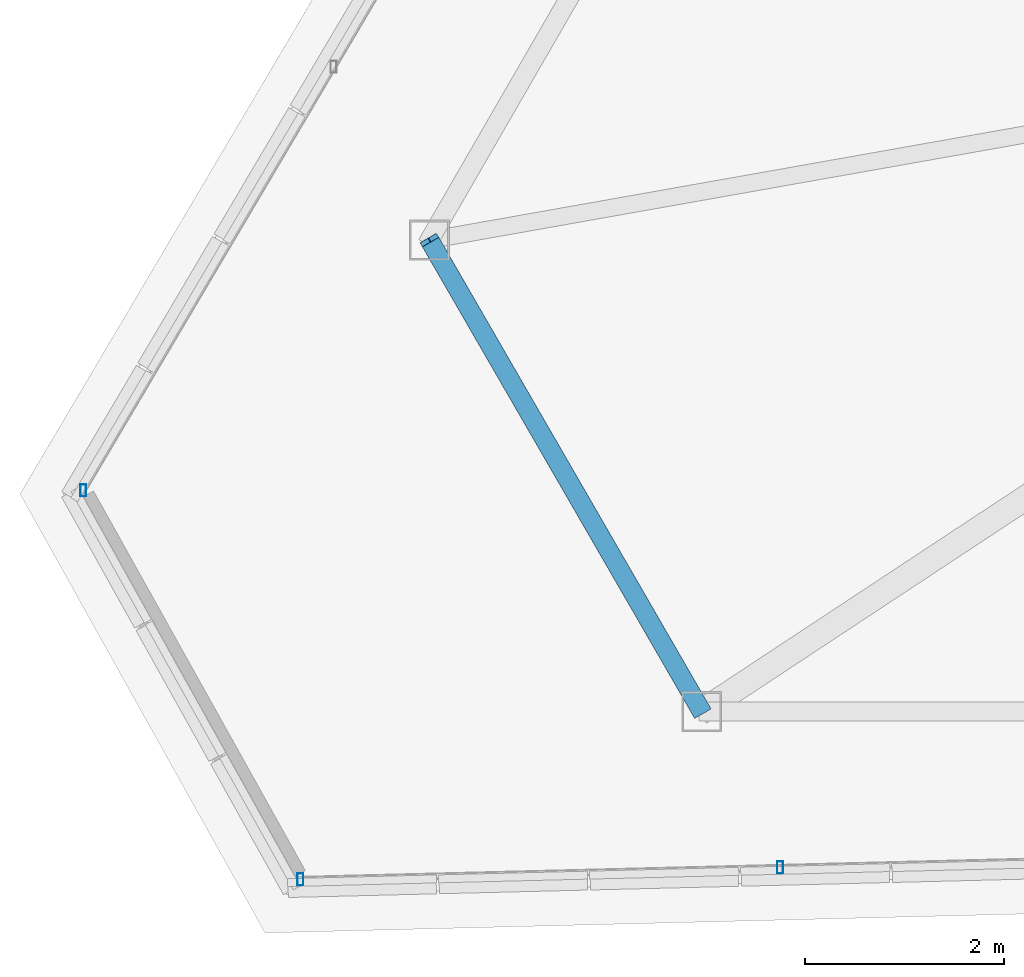
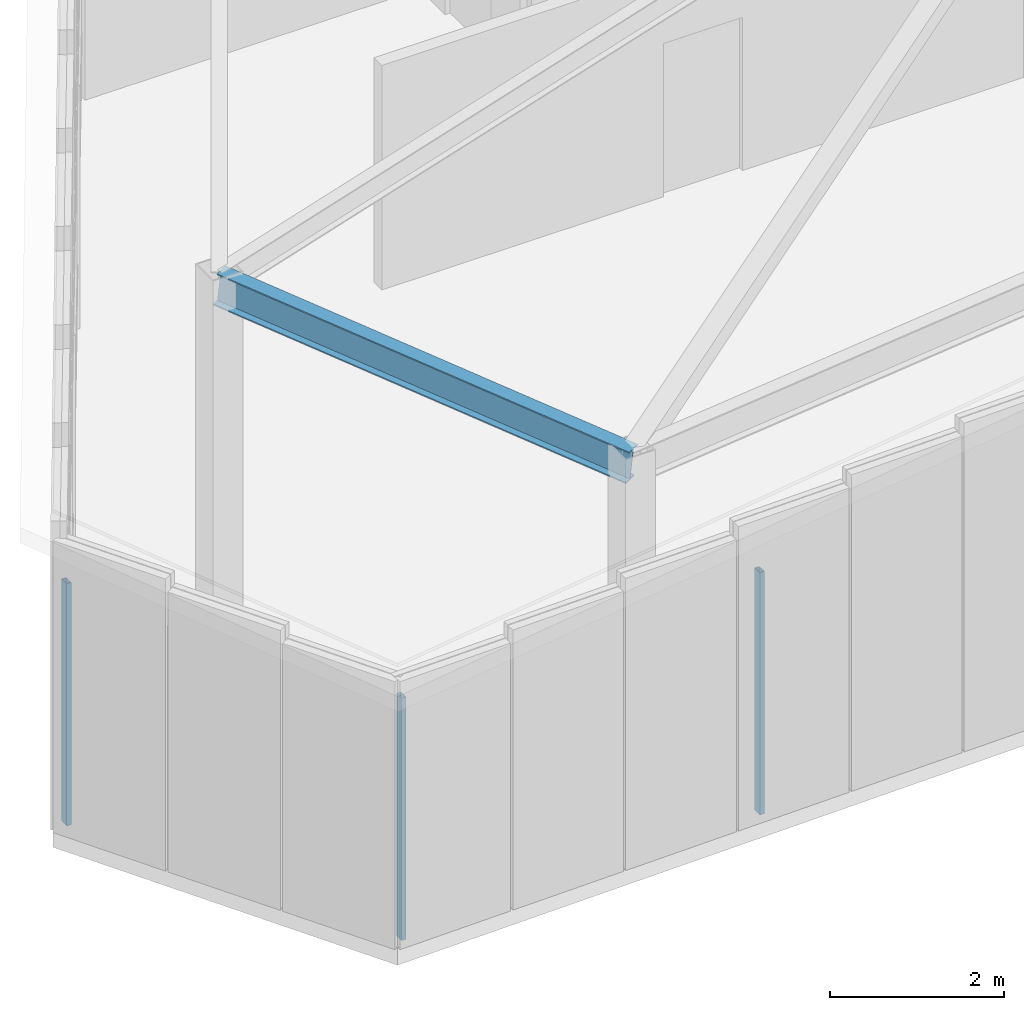
# One storey, part 3 of 50: 3 members, 1 beam, 2 elements without a shape of their own.
"""IFC4 building model written with IfcOpenShell, lengths in metres."""

import ifcopenshell
import ifcopenshell.guid

model = None  # the IFC model being written
_history = None  # IfcOwnerHistory: only IFC2X3 demands one
_inside = {}  # id of a spatial element -> (the spatial element, [elements in it])
_under = {}  # id of a project, library or spatial element -> (it, [spatial elements below it])
_declared = {}  # id of a project -> (the project, [libraries it declares])
_typed = {}  # id of a type object -> (the type object, [elements of that type])
_made_of = {}  # id of a material, layer set ... -> (it, [elements and type objects made of it])


def new_model(schema):
    """Start an empty IFC model of exactly this schema.

    Asked for "IFC4X3", IfcOpenShell would pick the latest addendum, in which some entities
    have other attributes; the version numbers below select the first issue.
    IFC2X3 requires an IfcOwnerHistory on every rooted entity: one is made here for all.
    """
    global model, _history
    if schema == "IFC4X3":
        model = ifcopenshell.file(schema_version=(4, 3, 0, 0))
    else:
        model = ifcopenshell.file(schema=schema)
    _inside.clear()
    _under.clear()
    _declared.clear()
    _typed.clear()
    _made_of.clear()
    _history = None
    if model.schema == "IFC2X3":
        org = make("IfcOrganization", Name="unknown")
        user = make(
            "IfcPersonAndOrganization",
            ThePerson=make("IfcPerson", FamilyName="unknown"),
            TheOrganization=org,
        )
        app = make(
            "IfcApplication",
            ApplicationDeveloper=org,
            Version="unknown",
            ApplicationFullName="unknown",
            ApplicationIdentifier="unknown",
        )
        _history = make(
            "IfcOwnerHistory",
            OwningUser=user,
            OwningApplication=app,
            ChangeAction="ADDED",
            CreationDate=0,
        )
    return model


def make(cls, **values):
    """One entity of the class cls with the attributes given. An attribute that is None is left unset."""
    return model.create_entity(
        cls, **{name: value for name, value in values.items() if value is not None}
    )


def rooted(cls, **values):
    """An entity with a GlobalId (a new one), such as an element, a storey or a relation."""
    return make(cls, GlobalId=ifcopenshell.guid.new(), OwnerHistory=_history, **values)


def si_unit(unit_type, name, prefix=None):
    """IfcSIUnit, for example si_unit("LENGTHUNIT", "METRE", prefix="MILLI")."""
    return make("IfcSIUnit", UnitType=unit_type, Prefix=prefix, Name=name)


def assignment(units):
    """IfcUnitAssignment: the units of a project."""
    return None if units is None else make("IfcUnitAssignment", Units=units)


def point(xyz):
    """IfcCartesianPoint."""
    return None if xyz is None else make("IfcCartesianPoint", Coordinates=xyz)


def direction(xyz):
    """IfcDirection."""
    return None if xyz is None else make("IfcDirection", DirectionRatios=xyz)


def frame(location, z_axis=None, x_axis=None):
    """IfcAxis2Placement3D, a coordinate frame: its origin and axes. An axis left out is left unset."""
    return make(
        "IfcAxis2Placement3D",
        Location=point(location),
        Axis=direction(z_axis),
        RefDirection=direction(x_axis),
    )


def frame_2d(location, x_axis=None):
    """IfcAxis2Placement2D, a coordinate frame in the plane: its origin and x axis."""
    return make(
        "IfcAxis2Placement2D", Location=point(location), RefDirection=direction(x_axis)
    )


def origin():
    """The frame at (0, 0, 0) with its axes left unset."""
    return frame((0.0, 0.0, 0.0))


def origin_2d():
    """The frame at (0, 0) in the plane with its x axis left unset."""
    return frame_2d((0.0, 0.0))


def place(relative_to, where):
    """IfcLocalPlacement: puts the frame where relative to a parent placement (None: the world)."""
    return make(
        "IfcLocalPlacement", PlacementRelTo=relative_to, RelativePlacement=where
    )


def context(
    kind, dimensions, precision=None, world=None, true_north=None, identifier=None
):
    """IfcGeometricRepresentationContext, for example the 3D "Model" context."""
    return make(
        "IfcGeometricRepresentationContext",
        ContextIdentifier=identifier,
        ContextType=kind,
        CoordinateSpaceDimension=dimensions,
        Precision=precision,
        WorldCoordinateSystem=world,
        TrueNorth=true_north,
    )


def subcontext(parent, identifier, kind, view, scale=None):
    """IfcGeometricRepresentationSubContext, for example "Body" below "Model"."""
    return make(
        "IfcGeometricRepresentationSubContext",
        ContextIdentifier=identifier,
        ContextType=kind,
        ParentContext=parent,
        TargetScale=scale,
        TargetView=view,
    )


def project(units=None, contexts=None):
    """IfcProject with its units and contexts."""
    return rooted(
        "IfcProject",
        Name="project",
        RepresentationContexts=contexts,
        UnitsInContext=assignment(units),
    )


def spatial(cls, under=None, at=None, **own):
    """A site, building, storey or space (cls), placed at a placement, below another one or the project."""
    s = rooted(cls, ObjectPlacement=at, **own)
    if under is not None:
        _under.setdefault(under.id(), (under, []))[1].append(s)
    return s


def profile(cls, at=None, kind="AREA", **sizes):
    """A parametric profile (cls). Its sizes go by their IFC names, for example OverallWidth=200.0."""
    return make(cls, ProfileType=kind, Position=at, **sizes)


def hollow_rectangle(**sizes):
    """IfcRectangleHollowProfileDef."""
    return profile("IfcRectangleHollowProfileDef", **sizes)


def i_section(**sizes):
    """IfcIShapeProfileDef."""
    return profile("IfcIShapeProfileDef", **sizes)


def extrude(swept, where, along, depth):
    """IfcExtrudedAreaSolid: the profile swept, set in the frame where, extruded along a direction by depth."""
    return make(
        "IfcExtrudedAreaSolid",
        SweptArea=swept,
        Position=where,
        ExtrudedDirection=direction(along),
        Depth=depth,
    )


def shape(context_of_items, identifier, shape_type, items):
    """IfcShapeRepresentation: the items that make up one representation, for example the "Body"."""
    return make(
        "IfcShapeRepresentation",
        ContextOfItems=context_of_items,
        RepresentationIdentifier=identifier,
        RepresentationType=shape_type,
        Items=items,
    )


def source(mapping_origin, context_of_items, identifier, shape_type, items):
    """IfcRepresentationMap: a shape defined once, which mapped items show again and again."""
    return make(
        "IfcRepresentationMap",
        MappingOrigin=mapping_origin,
        MappedRepresentation=shape(context_of_items, identifier, shape_type, items),
    )


def transform(
    local_origin,
    x_axis=None,
    y_axis=None,
    z_axis=None,
    scale=None,
    scale2=None,
    scale3=None,
    uniform=True,
):
    """IfcCartesianTransformationOperator3D, or its non-uniform kind. x_axis, y_axis, z_axis: its Axis1, 2, 3."""
    if uniform:
        return make(
            "IfcCartesianTransformationOperator3D",
            Axis1=direction(x_axis),
            Axis2=direction(y_axis),
            LocalOrigin=point(local_origin),
            Scale=scale,
            Axis3=direction(z_axis),
        )
    return make(
        "IfcCartesianTransformationOperator3DnonUniform",
        Axis1=direction(x_axis),
        Axis2=direction(y_axis),
        LocalOrigin=point(local_origin),
        Scale=scale,
        Axis3=direction(z_axis),
        Scale2=scale2,
        Scale3=scale3,
    )


def mapped(mapping_source, mapping_target):
    """IfcMappedItem: shows the shape of a source again, moved by a transform."""
    return make(
        "IfcMappedItem", MappingSource=mapping_source, MappingTarget=mapping_target
    )


def material(Name=None, Category=None):
    """IfcMaterial."""
    return make("IfcMaterial", Name=Name, Category=Category)


def material_profile(
    of_material, cross_section, Name=None, Category=None, Priority=None
):
    """IfcMaterialProfile: a cross section and its material."""
    return make(
        "IfcMaterialProfile",
        Name=Name,
        Material=of_material,
        Profile=cross_section,
        Priority=Priority,
        Category=Category,
    )


def profile_set(profiles, Name=None, composite=None):
    """IfcMaterialProfileSet."""
    return make(
        "IfcMaterialProfileSet",
        Name=Name,
        MaterialProfiles=profiles,
        CompositeProfile=composite,
    )


def made_of(thing, what):
    """Note that an element or type object is made of a material, layer set ...; save() writes the relation."""
    if what is not None:
        _made_of.setdefault(what.id(), (what, []))[1].append(thing)
    return thing


def type_object(cls, material=None, **own):
    """A type object (cls), such as IfcWallType, which elements share."""
    return made_of(rooted(cls, **own), material)


def type_shapes(of_type, sources):
    """Give a type object the sources (RepresentationMaps) that its elements show as mapped items."""
    of_type.RepresentationMaps = sources


def element(
    cls,
    number,
    at=None,
    inside=None,
    cuts=None,
    type_object=None,
    material=None,
    context=None,
    identifier="Body",
    shape_type=None,
    held_by="IfcProductDefinitionShape",
    body=None,
    shapes=None,
    **own,
):
    """One element of the class cls, such as IfcWall. Its Tag is "e" and its number.

    at: its placement. inside: the storey or other place that contains it. cuts: it is an
    opening in that element (IfcRelVoidsElement). A single representation is given by context,
    identifier, shape_type and body (its items); several are given by shapes. held_by: the class
    of the entity that holds the representations. save() writes the other relations.
    """
    e = rooted(cls, Tag="e%d" % number, ObjectPlacement=at, **own)
    if body is not None:
        shapes = [shape(context, identifier, shape_type, body)]
    if shapes is not None:
        e.Representation = make(held_by, Representations=shapes)
    if inside is not None:
        _inside.setdefault(inside.id(), (inside, []))[1].append(e)
    if cuts is not None:
        rooted(
            "IfcRelVoidsElement", RelatingBuildingElement=cuts, RelatedOpeningElement=e
        )
    if type_object is not None:
        _typed.setdefault(type_object.id(), (type_object, []))[1].append(e)
    return made_of(e, material)


def aggregate(whole, parts):
    """IfcRelAggregates: a whole, such as a stair, and the parts it consists of."""
    return rooted("IfcRelAggregates", RelatingObject=whole, RelatedObjects=parts)


def save(model, path):
    """Write the relations noted so far, then the file.

    IfcRelAggregates (storeys below a building ...), IfcRelContainedInSpatialStructure (elements
    in a storey), IfcRelDefinesByType, IfcRelAssociatesMaterial and IfcRelDeclares: one each for
    every whole, place, type object, material and project.
    """
    for whole, parts in _under.values():
        aggregate(whole, parts)
    for where, things in _inside.values():
        rooted(
            "IfcRelContainedInSpatialStructure",
            RelatedElements=things,
            RelatingStructure=where,
        )
    for kind, things in _typed.values():
        rooted("IfcRelDefinesByType", RelatedObjects=things, RelatingType=kind)
    for what, things in _made_of.values():
        rooted("IfcRelAssociatesMaterial", RelatedObjects=things, RelatingMaterial=what)
    for by, libraries in _declared.values():
        rooted("IfcRelDeclares", RelatingContext=by, RelatedDefinitions=libraries)
    model.write(path)


model = new_model("IFC4")

# Units and contexts
model_context = context("Model", 3, precision=1e-05, world=origin(), true_north=direction((0.0, 1.0)))
body_context = subcontext(model_context, "Body", "Model", "MODEL_VIEW")
ifc_project = project(units=[si_unit("LENGTHUNIT", "METRE"), si_unit("AREAUNIT", "SQUARE_METRE"), si_unit("VOLUMEUNIT", "CUBIC_METRE"), si_unit("PLANEANGLEUNIT", "RADIAN"), si_unit("MASSUNIT", "GRAM", prefix="KILO")], contexts=[model_context])

# Site, building, storey
site_placement = place(None, origin())
site = spatial("IfcSite", under=ifc_project, at=site_placement, CompositionType="ELEMENT")
building_placement = place(site_placement, origin())
building = spatial("IfcBuilding", under=site, at=building_placement, Name="Caelisora Broadcast Tower", CompositionType="ELEMENT")
storey_placement = place(building_placement, frame((0.0, 0.0, 303.39990234375)))
storey = spatial("IfcBuildingStorey", under=building, at=storey_placement, Name="L80", CompositionType="ELEMENT", Elevation=303.39990234375)

# Beam
ifc_material_1 = material(Name="Steel Grade 350 (AS/NZS 3679.1)", Category="steel")
ifc_material_profile_1 = material_profile(ifc_material_1, i_section(OverallWidth=0.19091796875, OverallDepth=0.46044921875, WebThickness=0.010009765625, FlangeThickness=0.01611328125, at=origin_2d()), Name="Steel Grade 350 (AS/NZS 3679.1)")
ifc_profile_set_1 = profile_set([ifc_material_profile_1], Name="Steel Grade 350 (AS/NZS 3679.1)")
beam_type = type_object("IfcBeamType", Name="RB01", PredefinedType="USERDEFINED", material=ifc_profile_set_1)
shared_shape_1 = source(origin(), body_context, "Body", "SweptSolid", [
    extrude(i_section(OverallWidth=0.19091796875, OverallDepth=0.46044921875, WebThickness=0.010009765625, FlangeThickness=0.01611328125, at=origin_2d()), origin(), (0.0, 0.0, 1.0), 5.509033203125),
])
type_shapes(beam_type, [shared_shape_1])
beam_placement = place(storey_placement, frame((16.923095703125, 14.99365234375, 4.795654296875), z_axis=(0.497135846164, -0.861058075501, -0.1069342839), x_axis=(0.866023777374, 0.500002817014, 0.0)))
element("IfcBeam", 1, at=beam_placement, inside=storey, type_object=beam_type, Name="L80 beam RB01", ObjectType="RAFTER", PredefinedType="USERDEFINED", context=body_context, shape_type="MappedRepresentation", body=[
    mapped(shared_shape_1, transform((0.0, 0.0, 0.0), scale=1.0)),
])

# Curtain wall, members
ifc_material_2 = material(Name="Unitised Aluminium Insulated Shadow-Box Spandrel Curtain Wall", Category="aluminium")
curtain_wall_type = type_object("IfcCurtainWallType", Name="CW-SP3", PredefinedType="NOTDEFINED", material=ifc_material_2)
curtain_wall_1_placement = place(storey_placement, origin())
curtain_wall_1 = element("IfcCurtainWall", 2, at=curtain_wall_1_placement, inside=storey, type_object=curtain_wall_type, Name="L80 curtain wall CW-SP3", PredefinedType="NOTDEFINED")
ifc_material_3 = material(Name="Aluminium 6063-T6 Anodised Terracotta Bronze", Category="aluminium")
ifc_material_profile_2 = material_profile(ifc_material_3, hollow_rectangle(XDim=0.06005859375, YDim=0.1201171875, WallThickness=0.0029296875, at=origin_2d()), Name="Aluminium 6063-T6 Anodised Terracotta Bronze")
ifc_profile_set_2 = profile_set([ifc_material_profile_2], Name="Aluminium 6063-T6 Anodised Terracotta Bronze")
member_type = type_object("IfcMemberType", Name="CWM-04", PredefinedType="MULLION", material=ifc_profile_set_2)
shared_shape_2 = source(origin(), body_context, "Body", "SweptSolid", [
    extrude(hollow_rectangle(XDim=0.06005859375, YDim=0.1201171875, WallThickness=0.0029296875, at=origin_2d()), origin(), (0.0, 0.0, 1.0), 3.400146484375),
])
type_shapes(member_type, [shared_shape_2])
member_1_placement = place(storey_placement, frame((20.451416015625, 8.6826171875, 0.0), z_axis=(0.0, 0.0, 1.0), x_axis=(1.0, 0.0, 0.0)))
member_1 = element("IfcMember", 3, at=member_1_placement, type_object=member_type, Name="L80-CW-B07 mullion #2", PredefinedType="MULLION", context=body_context, shape_type="MappedRepresentation", body=[
    mapped(shared_shape_2, transform((0.0, 0.0, 0.0), scale=1.0)),
])
member_2_placement = place(storey_placement, frame((15.625, 8.562255859375, 0.0), z_axis=(0.0, 0.0, 1.0), x_axis=(1.0, 0.0, 0.0)))
member_2 = element("IfcMember", 4, at=member_2_placement, type_object=member_type, Name="L80-CW-B07 mullion #3", PredefinedType="MULLION", context=body_context, shape_type="MappedRepresentation", body=[
    mapped(shared_shape_2, transform((0.0, 0.0, 0.0), scale=1.0)),
])
aggregate(curtain_wall_1, [member_1, member_2])

# Curtain wall, member
curtain_wall_2_placement = place(storey_placement, origin())
curtain_wall_2 = element("IfcCurtainWall", 5, at=curtain_wall_2_placement, inside=storey, type_object=curtain_wall_type, Name="L80 curtain wall CW-SP3", PredefinedType="NOTDEFINED")
member_3_placement = place(storey_placement, frame((13.4404296875, 12.47509765625, 0.0), z_axis=(0.0, 0.0, 1.0), x_axis=(1.0, 0.0, 0.0)))
member_3 = element("IfcMember", 6, at=member_3_placement, type_object=member_type, Name="L80-CW-B09 mullion #0", PredefinedType="MULLION", context=body_context, shape_type="MappedRepresentation", body=[
    mapped(shared_shape_2, transform((0.0, 0.0, 0.0), scale=1.0)),
])
aggregate(curtain_wall_2, [member_3])

save(model, "model.ifc")
